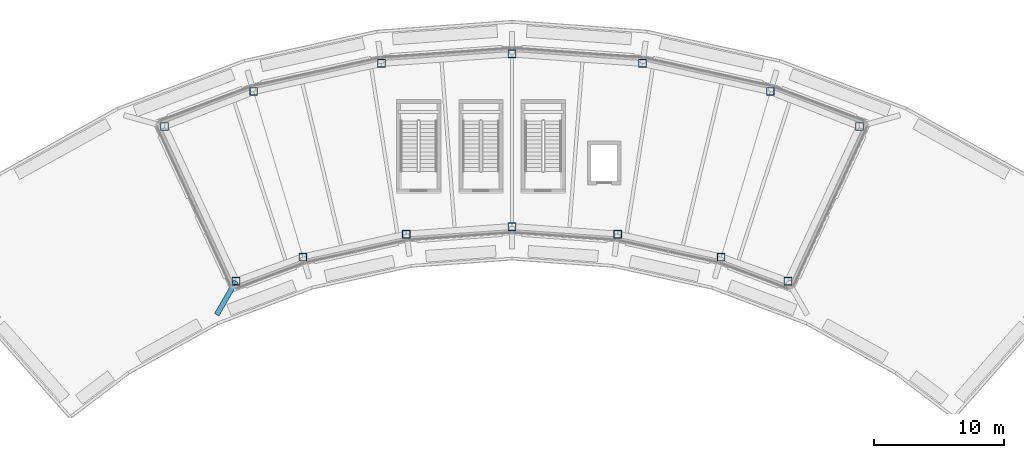
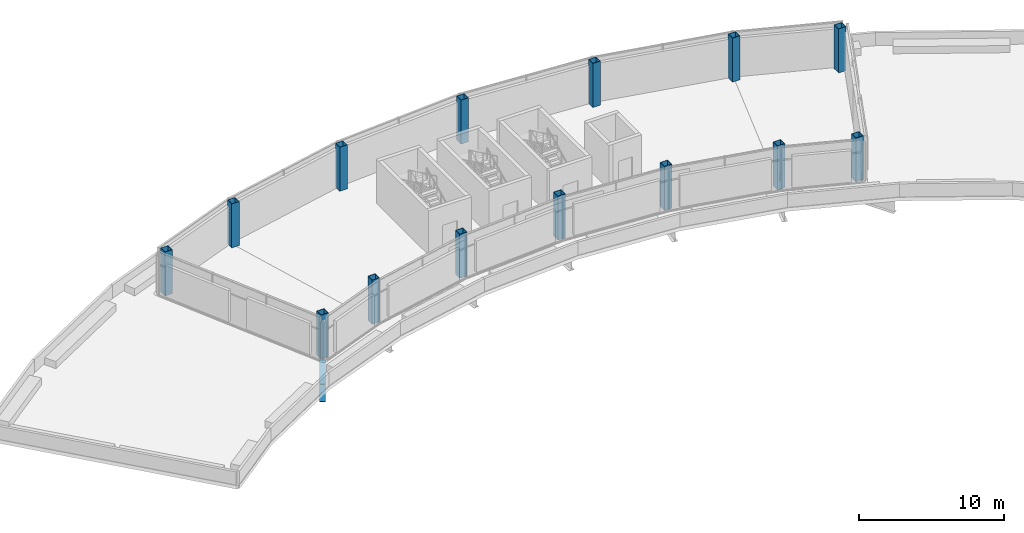
# One storey, part 1 of 9: 14 columns, 1 beam.
"""IFC4 building model written with IfcOpenShell, lengths in metres."""

from ifc_helpers import new_model, si_unit, direction, frame, origin, origin_2d, place, context, subcontext, project, spatial, hollow_rectangle, i_section, extrude, material, material_profile, profile_set, type_object, element, save


model = new_model("IFC4")

# Units and contexts
model_context = context("Model", 3, precision=1e-05, world=origin(), true_north=direction((0.0, 1.0)))
body_context = subcontext(model_context, "Body", "Model", "MODEL_VIEW")
ifc_project = project(units=[si_unit("LENGTHUNIT", "METRE"), si_unit("AREAUNIT", "SQUARE_METRE"), si_unit("VOLUMEUNIT", "CUBIC_METRE"), si_unit("PLANEANGLEUNIT", "RADIAN"), si_unit("MASSUNIT", "GRAM", prefix="KILO")], contexts=[model_context])

# Site, building, storey
site_placement = place(None, origin())
site = spatial("IfcSite", under=ifc_project, at=site_placement, CompositionType="ELEMENT")
building_placement = place(site_placement, origin())
building = spatial("IfcBuilding", under=site, at=building_placement, Name="Tuul Gate Civic Tower", CompositionType="ELEMENT")
storey_placement = place(building_placement, frame((0.0, 0.0, 368.10009765625)))
storey = spatial("IfcBuildingStorey", under=building, at=storey_placement, Name="Crown tier 2 lower", CompositionType="ELEMENT", Elevation=368.10009765625)

# Columns
ifc_material_1 = material(Name="Steel S355", Category="steel")
ifc_material_profile_1 = material_profile(ifc_material_1, hollow_rectangle(XDim=0.60009765625, YDim=0.60009765625, WallThickness=0.02490234375, at=origin_2d()), Name="BOX600x600x25")
ifc_profile_set_1 = profile_set([ifc_material_profile_1], Name="Steel S355")
column_type = type_object("IfcColumnType", Name="STR-COLUMN-BOX600x600x25", PredefinedType="COLUMN", material=ifc_profile_set_1)
for number, where, z_axis, x_axis, name in (
    (1, (29.001953125, 4.2119140625, 0.0), (0.0, 0.0, 1.0), (1.0, 0.0, 0.0), "Column"),
    (2, (22.125, 6.9140625, 0.0), (0.0, 0.0, 1.0), (1.0, 0.0, 0.0), "Column"),
    (3, (12.263916015625, 9.087890625, 0.0), (0.0, 0.0, 1.0), (1.0, 0.0, 0.0), "Column"),
    (4, (2.19189453125, 9.81689453125, 0.0), (0.0, 0.0, 1.0), (1.0, 0.0, 0.0), "Column"),
    (5, (-7.8798828125, 9.087890625, 0.0), (0.0, 0.0, 1.0), (1.0, 0.0, 0.0), "Column"),
    (6, (-17.740966796875, 6.9140625, 0.0), (0.0, 0.0, 1.0), (1.0, 0.0, 0.0), "Column"),
    (7, (-24.617919921875, 4.2119140625, 0.0), (0.0, 0.0, 1.0), (1.0, 0.0, 0.0), "Column"),
    (8, (-19.10107421875, -7.73291015625, 0.0), (0.0, 0.0, 1.0), (1.0, 0.0, 0.0), "Column"),
    (9, (-13.93798828125, -5.866943359375, 0.0), (0.0, 0.0, 1.0), (1.0, 0.0, 0.0), "Column"),
    (10, (-5.9580078125, -4.10791015625, 0.0), (0.0, 0.0, 1.0), (1.0, 0.0, 0.0), "Column"),
    (11, (2.19189453125, -3.51806640625, 0.0), (0.0, 0.0, 1.0), (1.0, 0.0, 0.0), "Column"),
    (12, (10.342041015625, -4.10791015625, 0.0), (0.0, 0.0, 1.0), (1.0, 0.0, 0.0), "Column"),
    (13, (18.322021484375, -5.866943359375, 0.0), (0.0, 0.0, 1.0), (1.0, 0.0, 0.0), "Column"),
    (14, (23.485107421875, -7.73291015625, 0.0), (0.0, 0.0, 1.0), (1.0, 0.0, 0.0), "Column"),
):
    element("IfcColumn", number, at=place(storey_placement, frame(where, z_axis=z_axis, x_axis=x_axis)), inside=storey, type_object=column_type, Name=name, PredefinedType="COLUMN", context=body_context, shape_type="SweptSolid", body=[
        extrude(hollow_rectangle(XDim=0.60009765625, YDim=0.60009765625, WallThickness=0.02490234375, at=origin_2d()), origin(), (0.0, 0.0, 1.0), 3.699951171875),
    ])

# Beam
ifc_material_2 = material(Name="Steel S355", Category="steel")
ifc_material_profile_2 = material_profile(ifc_material_2, i_section(OverallWidth=0.39990234375, OverallDepth=1.5, WebThickness=0.02490234375, FlangeThickness=0.0400390625, at=origin_2d()), Name="PG1500x400x25x40")
ifc_profile_set_2 = profile_set([ifc_material_profile_2], Name="Steel S355")
beam_type = type_object("IfcBeamType", Name="STR-FLOOR BEAM-PG1500x400x25x40", PredefinedType="BEAM", material=ifc_profile_set_2)
beam_placement = place(storey_placement, frame((-20.58837890625, -10.31591796875, -1.050048828125), z_axis=(0.498994271023, 0.866605283556, 0.0), x_axis=(-0.866605283556, 0.498994271023, 0.0)))
element("IfcBeam", 15, at=beam_placement, inside=storey, type_object=beam_type, Name="Ring girder stub", PredefinedType="BEAM", context=body_context, shape_type="SweptSolid", body=[
    extrude(i_section(OverallWidth=0.39990234375, OverallDepth=1.5, WebThickness=0.02490234375, FlangeThickness=0.0400390625, at=origin_2d()), origin(), (0.0, 0.0, 1.0), 2.980712890625),
])

save(model, "model.ifc")
